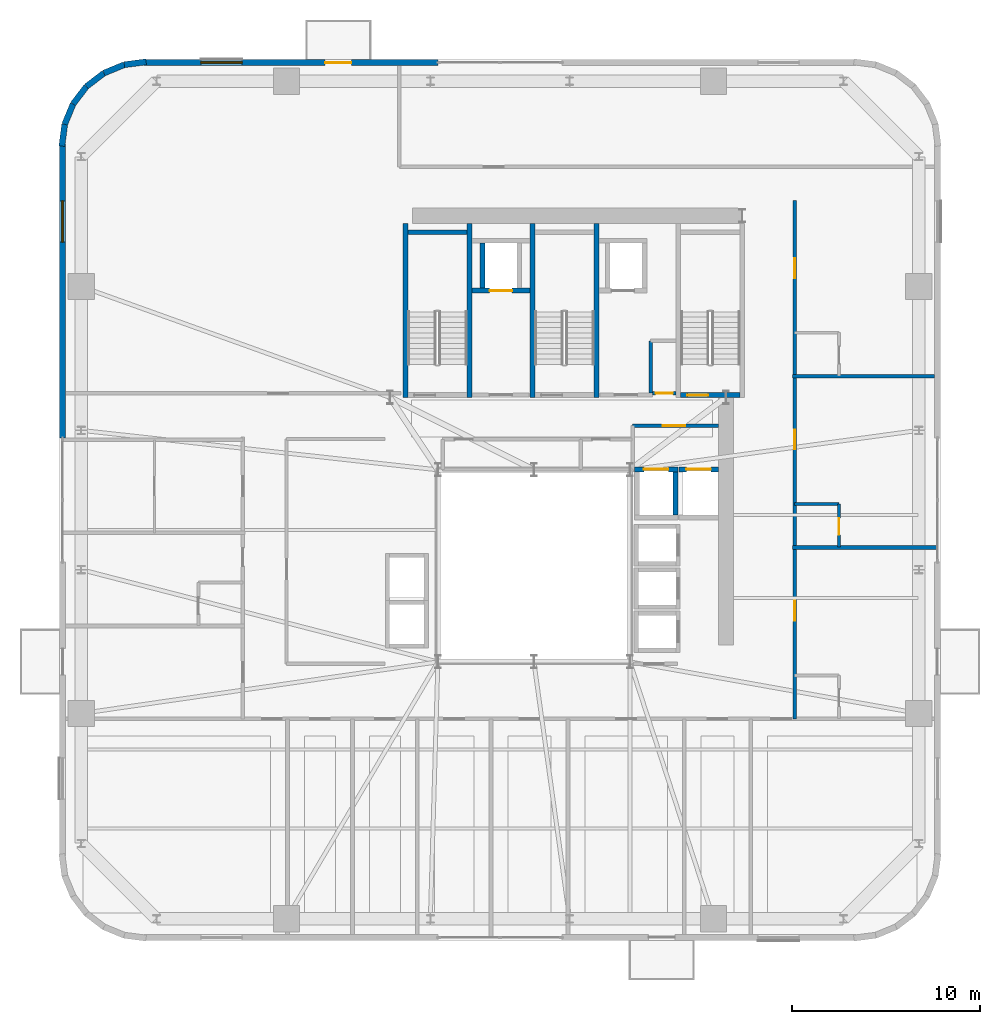
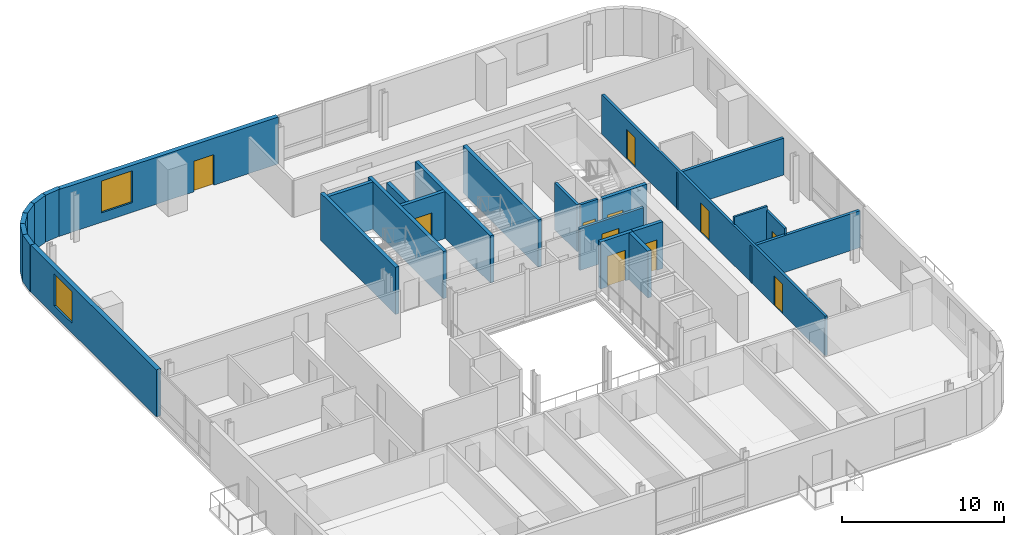
# One storey, part 10 of 16: 27 walls, 11 doors, 2 windows, 13 openings.
"""IFC4 building model written with IfcOpenShell, lengths in metres."""

from ifc_helpers import new_model, si_unit, direction, frame, frame_2d, origin, place, context, subcontext, project, spatial, rectangle, extrude, source, transform, mapped, material, layer, layer_set, type_object, element, fill, save


model = new_model("IFC4")

# Units and contexts
model_context = context("Model", 3, precision=1e-05, world=origin(), true_north=direction((0.0, 1.0)))
body_context = subcontext(model_context, "Body", "Model", "MODEL_VIEW")
ifc_project = project(units=[si_unit("LENGTHUNIT", "METRE"), si_unit("AREAUNIT", "SQUARE_METRE"), si_unit("VOLUMEUNIT", "CUBIC_METRE"), si_unit("PLANEANGLEUNIT", "RADIAN"), si_unit("MASSUNIT", "GRAM", prefix="KILO")], contexts=[model_context])

# Site, building, storey
site_placement = place(None, origin())
site = spatial("IfcSite", under=ifc_project, at=site_placement, CompositionType="ELEMENT")
building_placement = place(site_placement, origin())
building = spatial("IfcBuilding", under=site, at=building_placement, Name="Vardaveli Station Tower", CompositionType="ELEMENT")
storey_placement = place(building_placement, frame((0.0, 0.0, 222.300048828125)))
storey = spatial("IfcBuildingStorey", under=building, at=storey_placement, Name="L57", CompositionType="ELEMENT", Elevation=222.300048828125)

# Wall, openings, door, window
ifc_material_1 = material(Name="Precast concrete C45/55", Category="concrete")
ifc_layer_1 = layer(ifc_material_1, 0.320068359375, Name="Precast concrete C45/55")
ifc_layer_set_1 = layer_set([ifc_layer_1], Name="Precast concrete C45/55")
wall_type_1 = type_object("IfcWallType", Name="WAL-EXT-STONE-320", PredefinedType="SOLIDWALL", material=ifc_layer_set_1)
shared_shape_1 = source(origin(), body_context, "Body", "SweptSolid", [
    extrude(rectangle(XDim=15.599853515625, YDim=0.320068359375, at=frame_2d((7.7998046875, 0.0))), origin(), (0.0, 0.0, 1.0), 3.530029296875),
])
wall_1_placement = place(storey_placement, frame((31.199951171875, 48.43994140625, 0.0), z_axis=(0.0, 0.0, 1.0), x_axis=(-1.0, 0.0, 0.0)))
wall_1 = element("IfcWall", 1, at=wall_1_placement, inside=storey, type_object=wall_type_1, Name="EW-L57-N2", PredefinedType="SOLIDWALL", context=body_context, shape_type="MappedRepresentation", body=[
    mapped(shared_shape_1, transform((0.0, 0.0, 0.0), scale=1.0)),
])
shared_shape_2 = source(origin(), body_context, "Body", "SweptSolid", [
    extrude(rectangle(XDim=1.39990234375, YDim=2.300048828125, at=frame_2d((0.699951171875, 1.14990234375))), frame((0.0, 0.169921875, 0.0), z_axis=(0.0, -1.0, 0.0), x_axis=(1.0, 0.0, 0.0)), (0.0, 0.0, 1.0), 0.340087890625),
])
opening_1_placement = place(wall_1_placement, frame((4.589599609375, 0.0, 0.0)))
opening_1 = element("IfcOpeningElement", 2, at=opening_1_placement, cuts=wall_1, Name="Opening D-09", PredefinedType="OPENING", context=body_context, shape_type="MappedRepresentation", body=[
    mapped(shared_shape_2, transform((0.0, 0.0, 0.0), scale=1.0)),
])
shared_shape_3 = source(origin(), body_context, "Body", "SweptSolid", [
    extrude(rectangle(XDim=2.199951171875, YDim=2.39990234375, at=frame_2d((1.10009765625, 1.199951171875))), frame((0.0, 0.169921875, 0.0), z_axis=(0.0, -1.0, 0.0), x_axis=(1.0, 0.0, 0.0)), (0.0, 0.0, 1.0), 0.340087890625),
])
opening_2_placement = place(wall_1_placement, frame((10.39501953125, 0.0, 0.719970703125)))
opening_2 = element("IfcOpeningElement", 3, at=opening_2_placement, cuts=wall_1, Name="Opening W-03", PredefinedType="OPENING", context=body_context, shape_type="MappedRepresentation", body=[
    mapped(shared_shape_3, transform((0.0, 0.0, 0.0), scale=1.0)),
])
ifc_material_2 = material(Name="Thermally broken aluminium glass", Category="aluminium")
door_type_1 = type_object("IfcDoorType", Name="DR-LOG-1400x2300", OperationType="DOUBLE_DOOR_SLIDING", PredefinedType="DOOR", material=ifc_material_2)
shared_shape_4 = source(origin(), body_context, "Body", "SweptSolid", [
    extrude(rectangle(XDim=1.39990234375, YDim=2.300048828125, at=frame_2d((0.699951171875, 1.14990234375))), frame((0.0, 0.02490234375, 0.0), z_axis=(0.0, -1.0, 0.0), x_axis=(1.0, 0.0, 0.0)), (0.0, 0.0, 1.0), 0.050048828125),
])
door_1_placement = place(opening_1_placement, frame((1.39990234375, 0.0, 0.0), z_axis=(0.0, 0.0, 1.0), x_axis=(-1.0, 0.0, 0.0)))
door_1 = element("IfcDoor", 4, at=door_1_placement, inside=storey, type_object=door_type_1, Name="DLG-L57-N", OperationType="DOUBLE_DOOR_SLIDING", OverallHeight=2.300048828125, OverallWidth=1.39990234375, PredefinedType="DOOR", context=body_context, shape_type="MappedRepresentation", body=[
    mapped(shared_shape_4, transform((0.0, 0.0, 0.0), scale=1.0)),
])
fill(opening_1, door_1)
ifc_material_3 = material(Name="Low-E solar-control glass", Category="glass")
window_type = type_object("IfcWindowType", Name="WIN-LOG-2200x2400", PartitioningType="SINGLE_PANEL", PredefinedType="WINDOW", material=ifc_material_3)
shared_shape_5 = source(origin(), body_context, "Body", "SweptSolid", [
    extrude(rectangle(XDim=2.199951171875, YDim=2.39990234375, at=frame_2d((1.10009765625, 1.199951171875))), frame((0.0, 0.030029296875, 0.0), z_axis=(0.0, -1.0, 0.0), x_axis=(1.0, 0.0, 0.0)), (0.0, 0.0, 1.0), 0.06005859375),
])
window_1_placement = place(opening_2_placement, origin())
window_1 = element("IfcWindow", 5, at=window_1_placement, inside=storey, type_object=window_type, Name="WN-L57-N2", OverallHeight=2.39990234375, OverallWidth=2.199951171875, PartitioningType="SINGLE_PANEL", PredefinedType="WINDOW", context=body_context, shape_type="MappedRepresentation", body=[
    mapped(shared_shape_5, transform((0.0, 0.0, 0.0), scale=1.0)),
])
fill(opening_2, window_1)

# Wall, opening, window
shared_shape_6 = source(origin(), body_context, "Body", "SweptSolid", [
    extrude(rectangle(XDim=15.60009765625, YDim=0.320068359375, at=frame_2d((7.800048828125, 0.0))), origin(), (0.0, 0.0, 1.0), 3.530029296875),
])
wall_2_placement = place(storey_placement, frame((11.260009765625, 44.10009765625, 0.0), z_axis=(0.0, 0.0, 1.0), x_axis=(0.0, -1.0, 0.0)))
wall_2 = element("IfcWall", 6, at=wall_2_placement, inside=storey, type_object=wall_type_1, Name="EW-L57-W1", PredefinedType="SOLIDWALL", context=body_context, shape_type="MappedRepresentation", body=[
    mapped(shared_shape_6, transform((0.0, 0.0, 0.0), scale=1.0)),
])
opening_3_placement = place(wall_2_placement, frame((3.0048828125, 0.0, 0.719970703125)))
opening_3 = element("IfcOpeningElement", 7, at=opening_3_placement, cuts=wall_2, Name="Opening W-03", PredefinedType="OPENING", context=body_context, shape_type="MappedRepresentation", body=[
    mapped(shared_shape_3, transform((0.0, 0.0, 0.0), scale=1.0)),
])
window_2_placement = place(opening_3_placement, origin())
window_2 = element("IfcWindow", 8, at=window_2_placement, inside=storey, type_object=window_type, Name="WN-L57-W1", OverallHeight=2.39990234375, OverallWidth=2.199951171875, PartitioningType="SINGLE_PANEL", PredefinedType="WINDOW", context=body_context, shape_type="MappedRepresentation", body=[
    mapped(shared_shape_5, transform((0.0, 0.0, 0.0), scale=1.0)),
])
fill(opening_3, window_2)

# Walls
shared_shape_7 = source(origin(), body_context, "Body", "SweptSolid", [
    extrude(rectangle(XDim=1.1689453125, YDim=0.320068359375, at=frame_2d((0.58447265625, 0.0))), origin(), (0.0, 0.0, 1.0), 3.530029296875),
])
wall_3_placement = place(storey_placement, frame((12.53125, 47.1689453125, 0.0), z_axis=(0.0, 0.0, 1.0), x_axis=(-0.608387696831, -0.793639975269, 0.0)))
element("IfcWall", 9, at=wall_3_placement, inside=storey, type_object=wall_type_1, Name="EW-L57-CR4-4", PredefinedType="SOLIDWALL", context=body_context, shape_type="MappedRepresentation", body=[
    mapped(shared_shape_7, transform((0.0, 0.0, 0.0), scale=1.0)),
])
shared_shape_8 = source(origin(), body_context, "Body", "SweptSolid", [
    extrude(rectangle(XDim=1.168701171875, YDim=0.320068359375, at=frame_2d((0.58447265625, 0.0))), origin(), (0.0, 0.0, 1.0), 3.530029296875),
])
wall_4_placement = place(storey_placement, frame((13.458740234375, 47.8798828125, 0.0), z_axis=(0.0, 0.0, 1.0), x_axis=(-0.793663520347, -0.608356981114, 0.0)))
element("IfcWall", 10, at=wall_4_placement, inside=storey, type_object=wall_type_1, Name="EW-L57-CR4-3", PredefinedType="SOLIDWALL", context=body_context, shape_type="MappedRepresentation", body=[
    mapped(shared_shape_8, transform((0.0, 0.0, 0.0), scale=1.0)),
])
shared_shape_9 = source(origin(), body_context, "Body", "SweptSolid", [
    extrude(rectangle(XDim=1.17041015625, YDim=0.320068359375, at=frame_2d((0.585205078125, 0.0))), origin(), (0.0, 0.0, 1.0), 3.530029296875),
])
for number, where, z_axis, x_axis, name in (
    (11, (15.700439453125, 48.4755859375, 0.0), (0.0, 0.0, 1.0), (-0.991735963317, -0.128295670475, 0.0), "EW-L57-CR4-1"),
    (12, (11.37451171875, 45.16015625, 0.0), (0.0, 0.0, 1.0), (-0.128295670475, -0.991735963317, 0.0), "EW-L57-CR4-6"),
):
    element("IfcWall", number, at=place(storey_placement, frame(where, z_axis=z_axis, x_axis=x_axis)), inside=storey, type_object=wall_type_1, Name=name, PredefinedType="SOLIDWALL", context=body_context, shape_type="MappedRepresentation", body=[
        mapped(shared_shape_9, transform((0.0, 0.0, 0.0), scale=1.0)),
    ])
shared_shape_10 = source(origin(), body_context, "Body", "SweptSolid", [
    extrude(rectangle(XDim=1.169189453125, YDim=0.320068359375, at=frame_2d((0.58447265625, 0.0))), origin(), (0.0, 0.0, 1.0), 3.530029296875),
])
for number, where, z_axis, x_axis, name in (
    (13, (14.539794921875, 48.325439453125, 0.0), (0.0, 0.0, 1.0), (-0.924552646638, -0.381054331552, 0.0), "EW-L57-CR4-2"),
    (14, (11.820068359375, 46.2412109375, 0.0), (0.0, 0.0, 1.0), (-0.381054331552, -0.924552646638, 0.0), "EW-L57-CR4-5"),
):
    element("IfcWall", number, at=place(storey_placement, frame(where, z_axis=z_axis, x_axis=x_axis)), inside=storey, type_object=wall_type_1, Name=name, PredefinedType="SOLIDWALL", context=body_context, shape_type="MappedRepresentation", body=[
        mapped(shared_shape_10, transform((0.0, 0.0, 0.0), scale=1.0)),
    ])
ifc_material_4 = material(Name="Concrete C40/50", Category="concrete")
ifc_layer_2 = layer(ifc_material_4, 0.25, Name="Concrete C40/50")
ifc_layer_set_2 = layer_set([ifc_layer_2], Name="Concrete C40/50")
wall_type_2 = type_object("IfcWallType", Name="WAL-SHAFT-250", PredefinedType="SOLIDWALL", material=ifc_layer_set_2)
shared_shape_11 = source(origin(), body_context, "Body", "SweptSolid", [
    extrude(rectangle(XDim=9.25, YDim=0.25, at=frame_2d((4.625, 0.0))), origin(), (0.0, 0.0, 1.0), 3.550048828125),
])
for number, where, z_axis, x_axis, name in (
    (15, (29.47509765625, 30.64990234375, 0.0), (0.0, 0.0, 1.0), (0.0, 1.0, 0.0), "W-L57-ST-1W"),
    (16, (32.875, 30.64990234375, 0.0), (0.0, 0.0, 1.0), (0.0, 1.0, 0.0), "W-L57-ST-1E"),
    (17, (36.22509765625, 30.64990234375, 0.0), (0.0, 0.0, 1.0), (0.0, 1.0, 0.0), "W-L57-ST-2W"),
    (18, (39.625, 30.64990234375, 0.0), (0.0, 0.0, 1.0), (0.0, 1.0, 0.0), "W-L57-ST-2E"),
):
    element("IfcWall", number, at=place(storey_placement, frame(where, z_axis=z_axis, x_axis=x_axis)), inside=storey, type_object=wall_type_2, Name=name, PredefinedType="SOLIDWALL", context=body_context, shape_type="MappedRepresentation", body=[
        mapped(shared_shape_11, transform((0.0, 0.0, 0.0), scale=1.0)),
    ])
shared_shape_12 = source(origin(), body_context, "Body", "SweptSolid", [
    extrude(rectangle(XDim=3.14990234375, YDim=0.25, at=frame_2d((1.574951171875, 0.0))), origin(), (0.0, 0.0, 1.0), 3.550048828125),
])
wall_5_placement = place(storey_placement, frame((29.60009765625, 39.425048828125, 0.0), z_axis=(0.0, 0.0, 1.0), x_axis=(1.0, 0.0, 0.0)))
element("IfcWall", 19, at=wall_5_placement, inside=storey, type_object=wall_type_2, Name="W-L57-ST-1N", PredefinedType="SOLIDWALL", context=body_context, shape_type="MappedRepresentation", body=[
    mapped(shared_shape_12, transform((0.0, 0.0, 0.0), scale=1.0)),
])

# Wall, opening, door
wall_6_placement = place(storey_placement, frame((44.10009765625, 30.77490234375, 0.0), z_axis=(0.0, 0.0, 1.0), x_axis=(1.0, 0.0, 0.0)))
wall_6 = element("IfcWall", 20, at=wall_6_placement, inside=storey, type_object=wall_type_2, Name="W-L57-ST-3S", PredefinedType="SOLIDWALL", context=body_context, shape_type="MappedRepresentation", body=[
    mapped(shared_shape_12, transform((0.0, 0.0, 0.0), scale=1.0)),
])
shared_shape_13 = source(origin(), body_context, "Body", "SweptSolid", [
    extrude(rectangle(XDim=1.10009765625, YDim=2.199951171875, at=frame_2d((0.550048828125, 1.10009765625))), frame((0.0, 0.135009765625, 0.0), z_axis=(0.0, -1.0, 0.0), x_axis=(1.0, 0.0, 0.0)), (0.0, 0.0, 1.0), 0.27001953125),
])
opening_4_placement = place(wall_6_placement, frame((0.35009765625, 0.0, 0.0)))
opening_4 = element("IfcOpeningElement", 21, at=opening_4_placement, cuts=wall_6, Name="Opening D-04", PredefinedType="OPENING", context=body_context, shape_type="MappedRepresentation", body=[
    mapped(shared_shape_13, transform((0.0, 0.0, 0.0), scale=1.0)),
])
ifc_material_5 = material(Name="Steel smokeproof fire doorset", Category="steel")
door_type_2 = type_object("IfcDoorType", Name="DR-ST-1100x2200", OperationType="NOTDEFINED", PredefinedType="DOOR", material=ifc_material_5)
shared_shape_14 = source(origin(), body_context, "Body", "SweptSolid", [
    extrude(rectangle(XDim=1.10009765625, YDim=2.199951171875, at=frame_2d((0.550048828125, 1.10009765625))), frame((0.0, 0.02490234375, 0.0), z_axis=(0.0, -1.0, 0.0), x_axis=(1.0, 0.0, 0.0)), (0.0, 0.0, 1.0), 0.050048828125),
])
door_2_placement = place(opening_4_placement, origin())
door_2 = element("IfcDoor", 22, at=door_2_placement, inside=storey, type_object=door_type_2, Name="DST-3-L57", OperationType="SINGLE_SWING_LEFT", OverallHeight=2.199951171875, OverallWidth=1.10009765625, PredefinedType="DOOR", context=body_context, shape_type="MappedRepresentation", body=[
    mapped(shared_shape_14, transform((0.0, 0.0, 0.0), scale=1.0)),
])
fill(opening_4, door_2)

shared_shape_15 = source(origin(), body_context, "Body", "SweptSolid", [
    extrude(rectangle(XDim=3.10009765625, YDim=0.25, at=frame_2d((1.550048828125, 0.0))), origin(), (0.0, 0.0, 1.0), 3.530029296875),
])
wall_7_placement = place(storey_placement, frame((33.0, 36.324951171875, 0.0), z_axis=(0.0, 0.0, 1.0), x_axis=(1.0, 0.0, 0.0)))
wall_7 = element("IfcWall", 23, at=wall_7_placement, inside=storey, type_object=wall_type_2, Name="SHW-FFL-01-L57-S", PredefinedType="SOLIDWALL", context=body_context, shape_type="MappedRepresentation", body=[
    mapped(shared_shape_15, transform((0.0, 0.0, 0.0), scale=1.0)),
])
shared_shape_16 = source(origin(), body_context, "Body", "SweptSolid", [
    extrude(rectangle(XDim=1.199951171875, YDim=2.25, at=frame_2d((0.60009765625, 1.125))), frame((0.0, 0.135009765625, 0.0), z_axis=(0.0, -1.0, 0.0), x_axis=(1.0, 0.0, 0.0)), (0.0, 0.0, 1.0), 0.27001953125),
])
opening_5_placement = place(wall_7_placement, frame((0.949951171875, 0.0, 0.0)))
opening_5 = element("IfcOpeningElement", 24, at=opening_5_placement, cuts=wall_7, Name="Opening LD-02", PredefinedType="OPENING", context=body_context, shape_type="MappedRepresentation", body=[
    mapped(shared_shape_16, transform((0.0, 0.0, 0.0), scale=1.0)),
])
ifc_material_6 = material(Name="Brushed stainless steel", Category="steel")
door_type_3 = type_object("IfcDoorType", Name="DR-LD-1200x2250", OperationType="DOUBLE_DOOR_SLIDING", PredefinedType="DOOR", material=ifc_material_6)
shared_shape_17 = source(origin(), body_context, "Body", "SweptSolid", [
    extrude(rectangle(XDim=1.199951171875, YDim=2.25, at=frame_2d((0.60009765625, 1.125))), frame((0.0, 0.02490234375, 0.0), z_axis=(0.0, -1.0, 0.0), x_axis=(1.0, 0.0, 0.0)), (0.0, 0.0, 1.0), 0.050048828125),
])
door_3_placement = place(opening_5_placement, origin())
door_3 = element("IfcDoor", 25, at=door_3_placement, inside=storey, type_object=door_type_3, Name="LD-FFL-01-L57", OperationType="DOUBLE_DOOR_SLIDING", OverallHeight=2.25, OverallWidth=1.199951171875, PredefinedType="DOOR", context=body_context, shape_type="MappedRepresentation", body=[
    mapped(shared_shape_17, transform((0.0, 0.0, 0.0), scale=1.0)),
])
fill(opening_5, door_3)

# Wall
shared_shape_18 = source(origin(), body_context, "Body", "SweptSolid", [
    extrude(rectangle(XDim=2.400146484375, YDim=0.25, at=frame_2d((1.2001953125, 0.0))), origin(), (0.0, 0.0, 1.0), 3.530029296875),
])
wall_8_placement = place(storey_placement, frame((33.574951171875, 36.449951171875, 0.0), z_axis=(0.0, 0.0, 1.0), x_axis=(0.0, 1.0, 0.0)))
element("IfcWall", 26, at=wall_8_placement, inside=storey, type_object=wall_type_2, Name="SHW-FFL-01-L57-W", PredefinedType="SOLIDWALL", context=body_context, shape_type="MappedRepresentation", body=[
    mapped(shared_shape_18, transform((0.0, 0.0, 0.0), scale=1.0)),
])

# Wall, opening, door
shared_shape_19 = source(origin(), body_context, "Body", "SweptSolid", [
    extrude(rectangle(XDim=2.300048828125, YDim=0.25, at=frame_2d((1.14990234375, 0.0))), origin(), (0.0, 0.0, 1.0), 3.530029296875),
])
wall_9_placement = place(storey_placement, frame((41.64990234375, 26.824951171875, 0.0), z_axis=(0.0, 0.0, 1.0), x_axis=(1.0, 0.0, 0.0)))
wall_9 = element("IfcWall", 27, at=wall_9_placement, inside=storey, type_object=wall_type_2, Name="SHW-SRV-01-L57-N", PredefinedType="SOLIDWALL", context=body_context, shape_type="MappedRepresentation", body=[
    mapped(shared_shape_19, transform((0.0, 0.0, 0.0), scale=1.0)),
])
shared_shape_20 = source(origin(), body_context, "Body", "SweptSolid", [
    extrude(rectangle(XDim=1.300048828125, YDim=2.300048828125, at=frame_2d((0.64990234375, 1.14990234375))), frame((0.0, 0.135009765625, 0.0), z_axis=(0.0, -1.0, 0.0), x_axis=(1.0, 0.0, 0.0)), (0.0, 0.0, 1.0), 0.27001953125),
])
opening_6_placement = place(wall_9_placement, frame((0.5, 0.0, 0.0)))
opening_6 = element("IfcOpeningElement", 28, at=opening_6_placement, cuts=wall_9, Name="Opening LD-03", PredefinedType="OPENING", context=body_context, shape_type="MappedRepresentation", body=[
    mapped(shared_shape_20, transform((0.0, 0.0, 0.0), scale=1.0)),
])
door_type_4 = type_object("IfcDoorType", Name="DR-LD-1300x2300", OperationType="DOUBLE_DOOR_SLIDING", PredefinedType="DOOR", material=ifc_material_6)
shared_shape_21 = source(origin(), body_context, "Body", "SweptSolid", [
    extrude(rectangle(XDim=1.300048828125, YDim=2.300048828125, at=frame_2d((0.64990234375, 1.14990234375))), frame((0.0, 0.02490234375, 0.0), z_axis=(0.0, -1.0, 0.0), x_axis=(1.0, 0.0, 0.0)), (0.0, 0.0, 1.0), 0.050048828125),
])
door_4_placement = place(opening_6_placement, origin())
door_4 = element("IfcDoor", 29, at=door_4_placement, inside=storey, type_object=door_type_4, Name="LD-SRV-01-L57", OperationType="DOUBLE_DOOR_SLIDING", OverallHeight=2.300048828125, OverallWidth=1.300048828125, PredefinedType="DOOR", context=body_context, shape_type="MappedRepresentation", body=[
    mapped(shared_shape_21, transform((0.0, 0.0, 0.0), scale=1.0)),
])
fill(opening_6, door_4)

# Wall
wall_10_placement = place(storey_placement, frame((43.824951171875, 24.39990234375, 0.0), z_axis=(0.0, 0.0, 1.0), x_axis=(0.0, 1.0, 0.0)))
element("IfcWall", 30, at=wall_10_placement, inside=storey, type_object=wall_type_2, Name="SHW-SRV-01-L57-E", PredefinedType="SOLIDWALL", context=body_context, shape_type="MappedRepresentation", body=[
    mapped(shared_shape_19, transform((0.0, 0.0, 0.0), scale=1.0)),
])

# Wall, opening, door
shared_shape_22 = source(origin(), body_context, "Body", "SweptSolid", [
    extrude(rectangle(XDim=2.10009765625, YDim=0.25, at=frame_2d((1.050048828125, 0.0))), origin(), (0.0, 0.0, 1.0), 3.530029296875),
])
wall_11_placement = place(storey_placement, frame((44.0, 26.824951171875, 0.0), z_axis=(0.0, 0.0, 1.0), x_axis=(1.0, 0.0, 0.0)))
wall_11 = element("IfcWall", 31, at=wall_11_placement, inside=storey, type_object=wall_type_2, Name="SHW-SRV-02-L57-N", PredefinedType="SOLIDWALL", context=body_context, shape_type="MappedRepresentation", body=[
    mapped(shared_shape_22, transform((0.0, 0.0, 0.0), scale=1.0)),
])
opening_7_placement = place(wall_11_placement, frame((0.39990234375, 0.0, 0.0)))
opening_7 = element("IfcOpeningElement", 32, at=opening_7_placement, cuts=wall_11, Name="Opening LD-03", PredefinedType="OPENING", context=body_context, shape_type="MappedRepresentation", body=[
    mapped(shared_shape_20, transform((0.0, 0.0, 0.0), scale=1.0)),
])
door_5_placement = place(opening_7_placement, origin())
door_5 = element("IfcDoor", 33, at=door_5_placement, inside=storey, type_object=door_type_4, Name="LD-SRV-02-L57", OperationType="DOUBLE_DOOR_SLIDING", OverallHeight=2.300048828125, OverallWidth=1.300048828125, PredefinedType="DOOR", context=body_context, shape_type="MappedRepresentation", body=[
    mapped(shared_shape_21, transform((0.0, 0.0, 0.0), scale=1.0)),
])
fill(opening_7, door_5)

ifc_material_7 = material(Name="Fire-rated gypsum stud partition")
ifc_layer_3 = layer(ifc_material_7, 0.179931640625, Name="Fire-rated gypsum stud partition")
ifc_layer_set_3 = layer_set([ifc_layer_3], Name="Fire-rated gypsum stud partition")
wall_type_3 = type_object("IfcWallType", Name="WAL-CORR-180", PredefinedType="PARTITIONING", material=ifc_layer_set_3)
shared_shape_23 = source(origin(), body_context, "Body", "SweptSolid", [
    extrude(rectangle(XDim=4.5478515625, YDim=0.179931640625, at=frame_2d((2.27392578125, 0.0))), origin(), (0.0, 0.0, 1.0), 3.161865234375),
])
wall_12_placement = place(storey_placement, frame((41.550048828125, 29.14990234375, 0.0), z_axis=(0.0, 0.0, 1.0), x_axis=(1.0, 0.0, 0.0)))
wall_12 = element("IfcWall", 34, at=wall_12_placement, inside=storey, type_object=wall_type_3, Name="W-L57-SVFN", PredefinedType="PARTITIONING", context=body_context, shape_type="MappedRepresentation", body=[
    mapped(shared_shape_23, transform((0.0, 0.0, 0.0), scale=1.0)),
])
shared_shape_24 = source(origin(), body_context, "Body", "SweptSolid", [
    extrude(rectangle(XDim=1.199951171875, YDim=2.199951171875, at=frame_2d((0.60009765625, 1.10009765625))), frame((0.0, 0.10009765625, 0.0), z_axis=(0.0, -1.0, 0.0), x_axis=(1.0, 0.0, 0.0)), (0.0, 0.0, 1.0), 0.199951171875),
])
opening_8_placement = place(wall_12_placement, frame((1.60009765625, 0.0, 0.0)))
opening_8 = element("IfcOpeningElement", 35, at=opening_8_placement, cuts=wall_12, Name="Opening D-03", PredefinedType="OPENING", context=body_context, shape_type="MappedRepresentation", body=[
    mapped(shared_shape_24, transform((0.0, 0.0, 0.0), scale=1.0)),
])
door_type_5 = type_object("IfcDoorType", Name="DR-FFL-1200x2200", OperationType="NOTDEFINED", PredefinedType="DOOR", material=ifc_material_5)
shared_shape_25 = source(origin(), body_context, "Body", "SweptSolid", [
    extrude(rectangle(XDim=1.199951171875, YDim=2.199951171875, at=frame_2d((0.60009765625, 1.10009765625))), frame((0.0, 0.02490234375, 0.0), z_axis=(0.0, -1.0, 0.0), x_axis=(1.0, 0.0, 0.0)), (0.0, 0.0, 1.0), 0.050048828125),
])
door_6_placement = place(opening_8_placement, origin())
door_6 = element("IfcDoor", 36, at=door_6_placement, inside=storey, type_object=door_type_5, Name="D-L57-SVF", OperationType="SINGLE_SWING_RIGHT", OverallHeight=2.199951171875, OverallWidth=1.199951171875, PredefinedType="DOOR", context=body_context, shape_type="MappedRepresentation", body=[
    mapped(shared_shape_25, transform((0.0, 0.0, 0.0), scale=1.0)),
])
fill(opening_8, door_6)

shared_shape_26 = source(origin(), body_context, "Body", "SweptSolid", [
    extrude(rectangle(XDim=1.247802734375, YDim=0.179931640625, at=frame_2d((0.6240234375, 0.0))), origin(), (0.0, 0.0, 1.0), 3.530029296875),
])
wall_13_placement = place(storey_placement, frame((42.60009765625, 30.8798828125, 0.0), z_axis=(0.0, 0.0, 1.0), x_axis=(1.0, 0.0, 0.0)))
wall_13 = element("IfcWall", 37, at=wall_13_placement, inside=storey, type_object=wall_type_3, Name="W-L57-CBS0-S", PredefinedType="PARTITIONING", context=body_context, shape_type="MappedRepresentation", body=[
    mapped(shared_shape_26, transform((0.0, 0.0, 0.0), scale=1.0)),
])
shared_shape_27 = source(origin(), body_context, "Body", "SweptSolid", [
    extrude(rectangle(XDim=0.919921875, YDim=2.10009765625, at=frame_2d((0.4599609375, 1.050048828125))), frame((0.0, 0.10009765625, 0.0), z_axis=(0.0, -1.0, 0.0), x_axis=(1.0, 0.0, 0.0)), (0.0, 0.0, 1.0), 0.199951171875),
])
opening_9_placement = place(wall_13_placement, frame((0.1640625, 0.0, 0.0)))
opening_9 = element("IfcOpeningElement", 38, at=opening_9_placement, cuts=wall_13, Name="Opening D-07", PredefinedType="OPENING", context=body_context, shape_type="MappedRepresentation", body=[
    mapped(shared_shape_27, transform((0.0, 0.0, 0.0), scale=1.0)),
])
ifc_material_8 = material(Name="Moisture-resistant hardwood door", Category="wood")
door_type_6 = type_object("IfcDoorType", Name="DR-WC-920x2100", OperationType="NOTDEFINED", PredefinedType="DOOR", material=ifc_material_8)
shared_shape_28 = source(origin(), body_context, "Body", "SweptSolid", [
    extrude(rectangle(XDim=0.919921875, YDim=2.10009765625, at=frame_2d((0.4599609375, 1.050048828125))), frame((0.0, 0.02490234375, 0.0), z_axis=(0.0, -1.0, 0.0), x_axis=(1.0, 0.0, 0.0)), (0.0, 0.0, 1.0), 0.050048828125),
])
door_7_placement = place(opening_9_placement, origin())
door_7 = element("IfcDoor", 39, at=door_7_placement, inside=storey, type_object=door_type_6, Name="D-L57-CBS0", OperationType="SINGLE_SWING_LEFT", OverallHeight=2.10009765625, OverallWidth=0.919921875, PredefinedType="DOOR", context=body_context, shape_type="MappedRepresentation", body=[
    mapped(shared_shape_28, transform((0.0, 0.0, 0.0), scale=1.0)),
])
fill(opening_9, door_7)

# Walls
ifc_material_9 = material(Name="Acoustic twin-stud gypsum partition")
ifc_layer_4 = layer(ifc_material_9, 0.199951171875, Name="Acoustic twin-stud gypsum partition")
ifc_layer_set_4 = layer_set([ifc_layer_4], Name="Acoustic twin-stud gypsum partition")
wall_type_4 = type_object("IfcWallType", Name="WAL-PARTY-200", PredefinedType="PARTITIONING", material=ifc_layer_set_4)
shared_shape_29 = source(origin(), body_context, "Body", "SweptSolid", [
    extrude(rectangle(XDim=7.52783203125, YDim=0.199951171875, at=frame_2d((3.763916015625, 0.0))), origin(), (0.0, 0.0, 1.0), 2.77197265625),
])
wall_14_placement = place(storey_placement, frame((50.050048828125, 31.777099609375, 0.0), z_axis=(0.0, 0.0, 1.0), x_axis=(1.0, 0.0, 0.0)))
element("IfcWall", 40, at=wall_14_placement, inside=storey, type_object=wall_type_4, Name="W-L57-PE2", PredefinedType="PARTITIONING", context=body_context, shape_type="MappedRepresentation", body=[
    mapped(shared_shape_29, transform((0.0, 0.0, 0.0), scale=1.0)),
])
shared_shape_30 = source(origin(), body_context, "Body", "SweptSolid", [
    extrude(rectangle(XDim=7.719970703125, YDim=0.199951171875, at=frame_2d((3.85986328125, 0.0))), origin(), (0.0, 0.0, 1.0), 2.77197265625),
])
wall_15_placement = place(storey_placement, frame((50.050048828125, 22.673095703125, 0.0), z_axis=(0.0, 0.0, 1.0), x_axis=(1.0, 0.0, 0.0)))
element("IfcWall", 41, at=wall_15_placement, inside=storey, type_object=wall_type_4, Name="W-L57-PE1", PredefinedType="PARTITIONING", context=body_context, shape_type="MappedRepresentation", body=[
    mapped(shared_shape_30, transform((0.0, 0.0, 0.0), scale=1.0)),
])
ifc_material_10 = material(Name="Moisture-resistant stud partition")
ifc_layer_5 = layer(ifc_material_10, 0.14990234375, Name="Moisture-resistant stud partition")
ifc_layer_set_5 = layer_set([ifc_layer_5], Name="Moisture-resistant stud partition")
wall_type_5 = type_object("IfcWallType", Name="WAL-WET-150", PredefinedType="PARTITIONING", material=ifc_layer_set_5)
shared_shape_31 = source(origin(), body_context, "Body", "SweptSolid", [
    extrude(rectangle(XDim=2.360107421875, YDim=0.14990234375, at=frame_2d((1.18017578125, 0.0))), origin(), (0.0, 0.0, 1.0), 3.530029296875),
])
wall_16_placement = place(storey_placement, frame((50.14990234375, 24.98291015625, 0.0), z_axis=(0.0, 0.0, 1.0), x_axis=(1.0, 0.0, 0.0)))
element("IfcWall", 42, at=wall_16_placement, inside=storey, type_object=wall_type_5, Name="W-L57-BE2-N", PredefinedType="PARTITIONING", context=body_context, shape_type="MappedRepresentation", body=[
    mapped(shared_shape_31, transform((0.0, 0.0, 0.0), scale=1.0)),
])

# Wall, openings, doors
shared_shape_32 = source(origin(), body_context, "Body", "SweptSolid", [
    extrude(rectangle(XDim=27.530029296875, YDim=0.179931640625, at=frame_2d((13.76513671875, 0.0))), origin(), (0.0, 0.0, 1.0), 2.971923828125),
])
wall_17_placement = place(storey_placement, frame((50.14990234375, 13.570068359375, 0.0), z_axis=(0.0, 0.0, 1.0), x_axis=(0.0, 1.0, 0.0)))
wall_17 = element("IfcWall", 43, at=wall_17_placement, inside=storey, type_object=wall_type_3, Name="W-L57-CE", PredefinedType="PARTITIONING", context=body_context, shape_type="MappedRepresentation", body=[
    mapped(shared_shape_32, transform((0.0, 0.0, 0.0), scale=1.0)),
])
shared_shape_33 = source(origin(), body_context, "Body", "SweptSolid", [
    extrude(rectangle(XDim=1.050048828125, YDim=2.199951171875, at=frame_2d((0.52490234375, 1.10009765625))), frame((0.0, 0.10009765625, 0.0), z_axis=(0.0, -1.0, 0.0), x_axis=(1.0, 0.0, 0.0)), (0.0, 0.0, 1.0), 0.199951171875),
])
opening_10_placement = place(wall_17_placement, frame((5.216796875, 0.0, 0.0)))
opening_10 = element("IfcOpeningElement", 44, at=opening_10_placement, cuts=wall_17, Name="Opening D-05", PredefinedType="OPENING", context=body_context, shape_type="MappedRepresentation", body=[
    mapped(shared_shape_33, transform((0.0, 0.0, 0.0), scale=1.0)),
])
opening_11_placement = place(wall_17_placement, frame((14.320068359375, 0.0, 0.0)))
opening_11 = element("IfcOpeningElement", 45, at=opening_11_placement, cuts=wall_17, Name="Opening D-05", PredefinedType="OPENING", context=body_context, shape_type="MappedRepresentation", body=[
    mapped(shared_shape_33, transform((0.0, 0.0, 0.0), scale=1.0)),
])
opening_12_placement = place(wall_17_placement, frame((23.42333984375, 0.0, 0.0)))
opening_12 = element("IfcOpeningElement", 46, at=opening_12_placement, cuts=wall_17, Name="Opening D-05", PredefinedType="OPENING", context=body_context, shape_type="MappedRepresentation", body=[
    mapped(shared_shape_33, transform((0.0, 0.0, 0.0), scale=1.0)),
])
ifc_material_11 = material(Name="Walnut veneer acoustic fire door")
door_type_7 = type_object("IfcDoorType", Name="DR-SUITE-1050x2200", OperationType="NOTDEFINED", PredefinedType="DOOR", material=ifc_material_11)
shared_shape_34 = source(origin(), body_context, "Body", "SweptSolid", [
    extrude(rectangle(XDim=1.050048828125, YDim=2.199951171875, at=frame_2d((0.52490234375, 1.10009765625))), frame((0.0, 0.02490234375, 0.0), z_axis=(0.0, -1.0, 0.0), x_axis=(1.0, 0.0, 0.0)), (0.0, 0.0, 1.0), 0.050048828125),
])
door_8_placement = place(opening_10_placement, origin())
door_8 = element("IfcDoor", 47, at=door_8_placement, inside=storey, type_object=door_type_7, Name="D-L57-GE1", OperationType="SINGLE_SWING_RIGHT", OverallHeight=2.199951171875, OverallWidth=1.050048828125, PredefinedType="DOOR", context=body_context, shape_type="MappedRepresentation", body=[
    mapped(shared_shape_34, transform((0.0, 0.0, 0.0), scale=1.0)),
])
fill(opening_10, door_8)
door_9_placement = place(opening_11_placement, origin())
door_9 = element("IfcDoor", 48, at=door_9_placement, inside=storey, type_object=door_type_7, Name="D-L57-GE2", OperationType="SINGLE_SWING_LEFT", OverallHeight=2.199951171875, OverallWidth=1.050048828125, PredefinedType="DOOR", context=body_context, shape_type="MappedRepresentation", body=[
    mapped(shared_shape_34, transform((0.0, 0.0, 0.0), scale=1.0)),
])
fill(opening_11, door_9)
door_10_placement = place(opening_12_placement, origin())
door_10 = element("IfcDoor", 49, at=door_10_placement, inside=storey, type_object=door_type_7, Name="D-L57-GE3", OperationType="SINGLE_SWING_RIGHT", OverallHeight=2.199951171875, OverallWidth=1.050048828125, PredefinedType="DOOR", context=body_context, shape_type="MappedRepresentation", body=[
    mapped(shared_shape_34, transform((0.0, 0.0, 0.0), scale=1.0)),
])
fill(opening_12, door_10)

# Wall
shared_shape_35 = source(origin(), body_context, "Body", "SweptSolid", [
    extrude(rectangle(XDim=2.7578125, YDim=0.179931640625, at=frame_2d((1.37890625, 0.0))), origin(), (0.0, 0.0, 1.0), 3.530029296875),
])
wall_18_placement = place(storey_placement, frame((42.5, 30.89208984375, 0.0), z_axis=(0.0, 0.0, 1.0), x_axis=(0.0, 1.0, 0.0)))
element("IfcWall", 50, at=wall_18_placement, inside=storey, type_object=wall_type_3, Name="W-L57-CBS0-W", PredefinedType="PARTITIONING", context=body_context, shape_type="MappedRepresentation", body=[
    mapped(shared_shape_35, transform((0.0, 0.0, 0.0), scale=1.0)),
])

# Wall, opening, door
shared_shape_36 = source(origin(), body_context, "Body", "SweptSolid", [
    extrude(rectangle(XDim=2.289794921875, YDim=0.14990234375, at=frame_2d((1.14501953125, 0.0))), origin(), (0.0, 0.0, 1.0), 3.221923828125),
])
wall_19_placement = place(storey_placement, frame((52.510009765625, 22.693115234375, 0.0), z_axis=(0.0, 0.0, 1.0), x_axis=(0.0, 1.0, 0.0)))
wall_19 = element("IfcWall", 51, at=wall_19_placement, inside=storey, type_object=wall_type_5, Name="W-L57-BE2-E", PredefinedType="PARTITIONING", context=body_context, shape_type="MappedRepresentation", body=[
    mapped(shared_shape_36, transform((0.0, 0.0, 0.0), scale=1.0)),
])
shared_shape_37 = source(origin(), body_context, "Body", "SweptSolid", [
    extrude(rectangle(XDim=0.89990234375, YDim=2.10009765625, at=frame_2d((0.449951171875, 1.050048828125))), frame((0.0, 0.0849609375, 0.0), z_axis=(0.0, -1.0, 0.0), x_axis=(1.0, 0.0, 0.0)), (0.0, 0.0, 1.0), 0.169921875),
])
opening_13_placement = place(wall_19_placement, frame((0.64990234375, 0.0, 0.0)))
opening_13 = element("IfcOpeningElement", 52, at=opening_13_placement, cuts=wall_19, Name="Opening D-08", PredefinedType="OPENING", context=body_context, shape_type="MappedRepresentation", body=[
    mapped(shared_shape_37, transform((0.0, 0.0, 0.0), scale=1.0)),
])
ifc_material_12 = material(Name="Moisture-resistant oak door")
door_type_8 = type_object("IfcDoorType", Name="DR-BATH-900x2100", OperationType="NOTDEFINED", PredefinedType="DOOR", material=ifc_material_12)
shared_shape_38 = source(origin(), body_context, "Body", "SweptSolid", [
    extrude(rectangle(XDim=0.89990234375, YDim=2.10009765625, at=frame_2d((0.449951171875, 1.050048828125))), frame((0.0, 0.02490234375, 0.0), z_axis=(0.0, -1.0, 0.0), x_axis=(1.0, 0.0, 0.0)), (0.0, 0.0, 1.0), 0.050048828125),
])
door_11_placement = place(opening_13_placement, origin())
door_11 = element("IfcDoor", 53, at=door_11_placement, inside=storey, type_object=door_type_8, Name="D-L57-BE2", OperationType="SINGLE_SWING_LEFT", OverallHeight=2.10009765625, OverallWidth=0.89990234375, PredefinedType="DOOR", context=body_context, shape_type="MappedRepresentation", body=[
    mapped(shared_shape_38, transform((0.0, 0.0, 0.0), scale=1.0)),
])
fill(opening_13, door_11)

save(model, "model.ifc")
